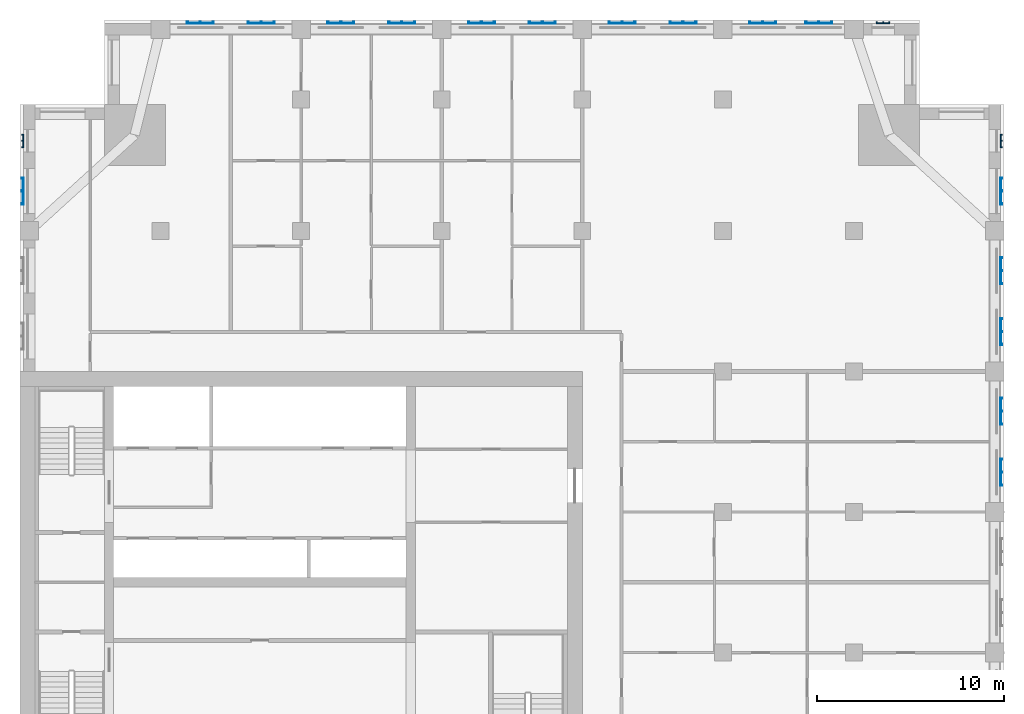
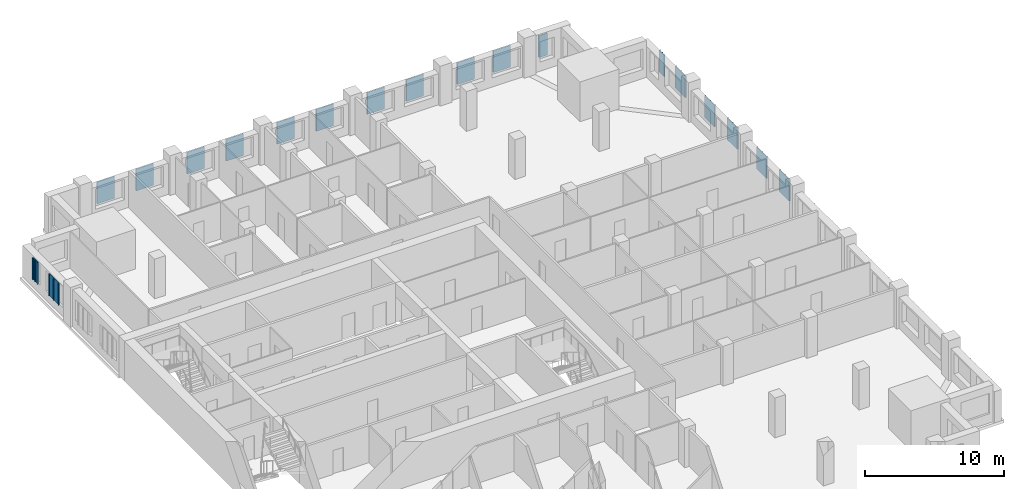
# One storey, part 5 of 14: 19 plates.
"""IFC4 building model written with IfcOpenShell, lengths in metres."""

from ifc_helpers import new_model, si_unit, direction, frame, origin, place, context, subcontext, project, spatial, polyline, outline, extrude, material, layer, layer_set, type_object, element, save


model = new_model("IFC4")

# Units and contexts
model_context = context("Model", 3, precision=1e-05, world=origin(), true_north=direction((0.0, 1.0)))
body_context = subcontext(model_context, "Body", "Model", "MODEL_VIEW")
ifc_project = project(units=[si_unit("LENGTHUNIT", "METRE"), si_unit("AREAUNIT", "SQUARE_METRE"), si_unit("VOLUMEUNIT", "CUBIC_METRE"), si_unit("PLANEANGLEUNIT", "RADIAN"), si_unit("MASSUNIT", "GRAM", prefix="KILO")], contexts=[model_context])

# Site, building, storey
site_placement = place(None, origin())
site = spatial("IfcSite", under=ifc_project, at=site_placement, CompositionType="ELEMENT")
building_placement = place(site_placement, origin())
building = spatial("IfcBuilding", under=site, at=building_placement, Name="Tamorin Gate", CompositionType="ELEMENT")
storey_placement = place(building_placement, frame((0.0, 0.0, 193.199951171875)))
storey = spatial("IfcBuildingStorey", under=building, at=storey_placement, Name="L47", CompositionType="ELEMENT", Elevation=193.199951171875)

# Plates
ifc_material = material(Name="Perforated pale aluminium sheet", Category="aluminium")
ifc_layer_1 = layer(ifc_material, 0.0400390625)
ifc_layer_set_1 = layer_set([ifc_layer_1], Name="Pale metal solar screen 1440")
plate_type_1 = type_object("IfcPlateType", Name="Pale metal solar screen 1440", PredefinedType="SHEET", material=ifc_layer_set_1)
plate_1_placement = place(storey_placement, frame((0.0, 0.0, 0.737548828125)))
element("IfcPlate", 1, at=plate_1_placement, inside=storey, type_object=plate_type_1, Name="Perforated solar screen", PredefinedType="SHEET", context=body_context, shape_type="SweptSolid", body=[
    extrude(outline(polyline([(82.340087890625, 76.405029296875), (82.300048828125, 76.405029296875), (82.300048828125, 76.465087890625), (82.300048828125, 77.094970703125), (82.300048828125, 77.155029296875), (82.300048828125, 77.784912109375), (82.300048828125, 77.844970703125), (82.340087890625, 77.844970703125), (82.39990234375, 77.844970703125), (82.39990234375, 77.784912109375), (82.340087890625, 77.784912109375), (82.340087890625, 77.155029296875), (82.39990234375, 77.155029296875), (82.39990234375, 77.094970703125), (82.340087890625, 77.094970703125), (82.340087890625, 76.465087890625), (82.39990234375, 76.465087890625), (82.39990234375, 76.405029296875), (82.340087890625, 76.405029296875)])), origin(), (0.0, 0.0, 1.0), 1.925048828125),
])
plate_2_placement = place(storey_placement, frame((0.0, 0.0, 0.737548828125)))
element("IfcPlate", 2, at=plate_2_placement, inside=storey, type_object=plate_type_1, Name="Perforated solar screen", PredefinedType="SHEET", context=body_context, shape_type="SweptSolid", body=[
    extrude(outline(polyline([(82.340087890625, 79.655029296875), (82.300048828125, 79.655029296875), (82.300048828125, 79.715087890625), (82.300048828125, 80.344970703125), (82.300048828125, 80.405029296875), (82.300048828125, 81.034912109375), (82.300048828125, 81.094970703125), (82.340087890625, 81.094970703125), (82.39990234375, 81.094970703125), (82.39990234375, 81.034912109375), (82.340087890625, 81.034912109375), (82.340087890625, 80.405029296875), (82.39990234375, 80.405029296875), (82.39990234375, 80.344970703125), (82.340087890625, 80.344970703125), (82.340087890625, 79.715087890625), (82.39990234375, 79.715087890625), (82.39990234375, 79.655029296875), (82.340087890625, 79.655029296875)])), origin(), (0.0, 0.0, 1.0), 1.925048828125),
])
plate_3_placement = place(storey_placement, frame((0.0, 0.0, 0.737548828125)))
element("IfcPlate", 3, at=plate_3_placement, inside=storey, type_object=plate_type_1, Name="Perforated solar screen", PredefinedType="SHEET", context=body_context, shape_type="SweptSolid", body=[
    extrude(outline(polyline([(82.340087890625, 83.905029296875), (82.300048828125, 83.905029296875), (82.300048828125, 83.965087890625), (82.300048828125, 84.594970703125), (82.300048828125, 84.655029296875), (82.300048828125, 85.284912109375), (82.300048828125, 85.344970703125), (82.340087890625, 85.344970703125), (82.39990234375, 85.344970703125), (82.39990234375, 85.284912109375), (82.340087890625, 85.284912109375), (82.340087890625, 84.655029296875), (82.39990234375, 84.655029296875), (82.39990234375, 84.594970703125), (82.340087890625, 84.594970703125), (82.340087890625, 83.965087890625), (82.39990234375, 83.965087890625), (82.39990234375, 83.905029296875), (82.340087890625, 83.905029296875)])), origin(), (0.0, 0.0, 1.0), 1.925048828125),
])
plate_4_placement = place(storey_placement, frame((0.0, 0.0, 0.737548828125)))
element("IfcPlate", 4, at=plate_4_placement, inside=storey, type_object=plate_type_1, Name="Perforated solar screen", PredefinedType="SHEET", context=body_context, shape_type="SweptSolid", body=[
    extrude(outline(polyline([(82.340087890625, 87.155029296875), (82.300048828125, 87.155029296875), (82.300048828125, 87.215087890625), (82.300048828125, 87.844970703125), (82.300048828125, 87.905029296875), (82.300048828125, 88.534912109375), (82.300048828125, 88.594970703125), (82.340087890625, 88.594970703125), (82.39990234375, 88.594970703125), (82.39990234375, 88.534912109375), (82.340087890625, 88.534912109375), (82.340087890625, 87.905029296875), (82.39990234375, 87.905029296875), (82.39990234375, 87.844970703125), (82.340087890625, 87.844970703125), (82.340087890625, 87.215087890625), (82.39990234375, 87.215087890625), (82.39990234375, 87.155029296875), (82.340087890625, 87.155029296875)])), origin(), (0.0, 0.0, 1.0), 1.925048828125),
])
plate_5_placement = place(storey_placement, frame((0.0, 0.0, 0.737548828125)))
element("IfcPlate", 5, at=plate_5_placement, inside=storey, type_object=plate_type_1, Name="Perforated solar screen", PredefinedType="SHEET", context=body_context, shape_type="SweptSolid", body=[
    extrude(outline(polyline([(82.340087890625, 91.405029296875), (82.300048828125, 91.405029296875), (82.300048828125, 91.465087890625), (82.300048828125, 92.094970703125), (82.300048828125, 92.155029296875), (82.300048828125, 92.784912109375), (82.300048828125, 92.844970703125), (82.340087890625, 92.844970703125), (82.39990234375, 92.844970703125), (82.39990234375, 92.784912109375), (82.340087890625, 92.784912109375), (82.340087890625, 92.155029296875), (82.39990234375, 92.155029296875), (82.39990234375, 92.094970703125), (82.340087890625, 92.094970703125), (82.340087890625, 91.465087890625), (82.39990234375, 91.465087890625), (82.39990234375, 91.405029296875), (82.340087890625, 91.405029296875)])), origin(), (0.0, 0.0, 1.0), 1.925048828125),
])
plate_6_placement = place(storey_placement, frame((0.0, 0.0, 0.737548828125)))
element("IfcPlate", 6, at=plate_6_placement, inside=storey, type_object=plate_type_1, Name="Perforated solar screen", PredefinedType="SHEET", context=body_context, shape_type="SweptSolid", body=[
    extrude(outline(polyline([(70.344970703125, 101.090087890625), (70.344970703125, 101.050048828125), (70.284912109375, 101.050048828125), (69.655029296875, 101.050048828125), (69.594970703125, 101.050048828125), (68.965087890625, 101.050048828125), (68.905029296875, 101.050048828125), (68.905029296875, 101.090087890625), (68.905029296875, 101.14990234375), (68.965087890625, 101.14990234375), (68.965087890625, 101.090087890625), (69.594970703125, 101.090087890625), (69.594970703125, 101.14990234375), (69.655029296875, 101.14990234375), (69.655029296875, 101.090087890625), (70.284912109375, 101.090087890625), (70.284912109375, 101.14990234375), (70.344970703125, 101.14990234375), (70.344970703125, 101.090087890625)])), origin(), (0.0, 0.0, 1.0), 1.925048828125),
])
plate_7_placement = place(storey_placement, frame((0.0, 0.0, 0.737548828125)))
element("IfcPlate", 7, at=plate_7_placement, inside=storey, type_object=plate_type_1, Name="Perforated solar screen", PredefinedType="SHEET", context=body_context, shape_type="SweptSolid", body=[
    extrude(outline(polyline([(73.344970703125, 101.090087890625), (73.344970703125, 101.050048828125), (73.284912109375, 101.050048828125), (72.655029296875, 101.050048828125), (72.594970703125, 101.050048828125), (71.965087890625, 101.050048828125), (71.905029296875, 101.050048828125), (71.905029296875, 101.050048828125), (71.905029296875, 101.090087890625), (71.905029296875, 101.090087890625), (71.905029296875, 101.14990234375), (71.965087890625, 101.14990234375), (71.965087890625, 101.090087890625), (72.594970703125, 101.090087890625), (72.594970703125, 101.14990234375), (72.655029296875, 101.14990234375), (72.655029296875, 101.090087890625), (73.284912109375, 101.090087890625), (73.284912109375, 101.14990234375), (73.344970703125, 101.14990234375), (73.344970703125, 101.090087890625)])), origin(), (0.0, 0.0, 1.0), 1.925048828125),
])
plate_8_placement = place(storey_placement, frame((0.0, 0.0, 0.737548828125)))
element("IfcPlate", 8, at=plate_8_placement, inside=storey, type_object=plate_type_1, Name="Perforated solar screen", PredefinedType="SHEET", context=body_context, shape_type="SweptSolid", body=[
    extrude(outline(polyline([(62.844970703125, 101.090087890625), (62.844970703125, 101.050048828125), (62.784912109375, 101.050048828125), (62.155029296875, 101.050048828125), (62.094970703125, 101.050048828125), (61.465087890625, 101.050048828125), (61.405029296875, 101.050048828125), (61.405029296875, 101.090087890625), (61.405029296875, 101.14990234375), (61.465087890625, 101.14990234375), (61.465087890625, 101.090087890625), (62.094970703125, 101.090087890625), (62.094970703125, 101.14990234375), (62.155029296875, 101.14990234375), (62.155029296875, 101.090087890625), (62.784912109375, 101.090087890625), (62.784912109375, 101.14990234375), (62.844970703125, 101.14990234375), (62.844970703125, 101.090087890625)])), origin(), (0.0, 0.0, 1.0), 1.925048828125),
])
plate_9_placement = place(storey_placement, frame((0.0, 0.0, 0.737548828125)))
element("IfcPlate", 9, at=plate_9_placement, inside=storey, type_object=plate_type_1, Name="Perforated solar screen", PredefinedType="SHEET", context=body_context, shape_type="SweptSolid", body=[
    extrude(outline(polyline([(66.094970703125, 101.090087890625), (66.094970703125, 101.050048828125), (66.034912109375, 101.050048828125), (65.405029296875, 101.050048828125), (65.344970703125, 101.050048828125), (64.715087890625, 101.050048828125), (64.655029296875, 101.050048828125), (64.655029296875, 101.090087890625), (64.655029296875, 101.14990234375), (64.715087890625, 101.14990234375), (64.715087890625, 101.090087890625), (65.344970703125, 101.090087890625), (65.344970703125, 101.14990234375), (65.405029296875, 101.14990234375), (65.405029296875, 101.090087890625), (66.034912109375, 101.090087890625), (66.034912109375, 101.14990234375), (66.094970703125, 101.14990234375), (66.094970703125, 101.090087890625)])), origin(), (0.0, 0.0, 1.0), 1.925048828125),
])
plate_10_placement = place(storey_placement, frame((0.0, 0.0, 0.737548828125)))
element("IfcPlate", 10, at=plate_10_placement, inside=storey, type_object=plate_type_1, Name="Perforated solar screen", PredefinedType="SHEET", context=body_context, shape_type="SweptSolid", body=[
    extrude(outline(polyline([(55.344970703125, 101.090087890625), (55.344970703125, 101.050048828125), (55.284912109375, 101.050048828125), (54.655029296875, 101.050048828125), (54.594970703125, 101.050048828125), (53.965087890625, 101.050048828125), (53.905029296875, 101.050048828125), (53.905029296875, 101.090087890625), (53.905029296875, 101.14990234375), (53.965087890625, 101.14990234375), (53.965087890625, 101.090087890625), (54.594970703125, 101.090087890625), (54.594970703125, 101.14990234375), (54.655029296875, 101.14990234375), (54.655029296875, 101.090087890625), (55.284912109375, 101.090087890625), (55.284912109375, 101.14990234375), (55.344970703125, 101.14990234375), (55.344970703125, 101.090087890625)])), origin(), (0.0, 0.0, 1.0), 1.925048828125),
])
plate_11_placement = place(storey_placement, frame((0.0, 0.0, 0.737548828125)))
element("IfcPlate", 11, at=plate_11_placement, inside=storey, type_object=plate_type_1, Name="Perforated solar screen", PredefinedType="SHEET", context=body_context, shape_type="SweptSolid", body=[
    extrude(outline(polyline([(58.594970703125, 101.090087890625), (58.594970703125, 101.050048828125), (58.534912109375, 101.050048828125), (57.905029296875, 101.050048828125), (57.844970703125, 101.050048828125), (57.215087890625, 101.050048828125), (57.155029296875, 101.050048828125), (57.155029296875, 101.090087890625), (57.155029296875, 101.14990234375), (57.215087890625, 101.14990234375), (57.215087890625, 101.090087890625), (57.844970703125, 101.090087890625), (57.844970703125, 101.14990234375), (57.905029296875, 101.14990234375), (57.905029296875, 101.090087890625), (58.534912109375, 101.090087890625), (58.534912109375, 101.14990234375), (58.594970703125, 101.14990234375), (58.594970703125, 101.090087890625)])), origin(), (0.0, 0.0, 1.0), 1.925048828125),
])
plate_12_placement = place(storey_placement, frame((0.0, 0.0, 0.737548828125)))
element("IfcPlate", 12, at=plate_12_placement, inside=storey, type_object=plate_type_1, Name="Perforated solar screen", PredefinedType="SHEET", context=body_context, shape_type="SweptSolid", body=[
    extrude(outline(polyline([(47.844970703125, 101.090087890625), (47.844970703125, 101.050048828125), (47.784912109375, 101.050048828125), (47.155029296875, 101.050048828125), (47.094970703125, 101.050048828125), (46.465087890625, 101.050048828125), (46.405029296875, 101.050048828125), (46.405029296875, 101.090087890625), (46.405029296875, 101.14990234375), (46.465087890625, 101.14990234375), (46.465087890625, 101.090087890625), (47.094970703125, 101.090087890625), (47.094970703125, 101.14990234375), (47.155029296875, 101.14990234375), (47.155029296875, 101.090087890625), (47.784912109375, 101.090087890625), (47.784912109375, 101.14990234375), (47.844970703125, 101.14990234375), (47.844970703125, 101.090087890625)])), origin(), (0.0, 0.0, 1.0), 1.925048828125),
])
plate_13_placement = place(storey_placement, frame((0.0, 0.0, 0.737548828125)))
element("IfcPlate", 13, at=plate_13_placement, inside=storey, type_object=plate_type_1, Name="Perforated solar screen", PredefinedType="SHEET", context=body_context, shape_type="SweptSolid", body=[
    extrude(outline(polyline([(51.094970703125, 101.090087890625), (51.094970703125, 101.050048828125), (51.034912109375, 101.050048828125), (50.405029296875, 101.050048828125), (50.344970703125, 101.050048828125), (49.715087890625, 101.050048828125), (49.655029296875, 101.050048828125), (49.655029296875, 101.090087890625), (49.655029296875, 101.14990234375), (49.715087890625, 101.14990234375), (49.715087890625, 101.090087890625), (50.344970703125, 101.090087890625), (50.344970703125, 101.14990234375), (50.405029296875, 101.14990234375), (50.405029296875, 101.090087890625), (51.034912109375, 101.090087890625), (51.034912109375, 101.14990234375), (51.094970703125, 101.14990234375), (51.094970703125, 101.090087890625)])), origin(), (0.0, 0.0, 1.0), 1.925048828125),
])
plate_14_placement = place(storey_placement, frame((0.0, 0.0, 0.737548828125)))
element("IfcPlate", 14, at=plate_14_placement, inside=storey, type_object=plate_type_1, Name="Perforated solar screen", PredefinedType="SHEET", context=body_context, shape_type="SweptSolid", body=[
    extrude(outline(polyline([(40.344970703125, 101.090087890625), (40.344970703125, 101.050048828125), (40.284912109375, 101.050048828125), (39.655029296875, 101.050048828125), (39.594970703125, 101.050048828125), (38.965087890625, 101.050048828125), (38.905029296875, 101.050048828125), (38.905029296875, 101.090087890625), (38.905029296875, 101.14990234375), (38.965087890625, 101.14990234375), (38.965087890625, 101.090087890625), (39.594970703125, 101.090087890625), (39.594970703125, 101.14990234375), (39.655029296875, 101.14990234375), (39.655029296875, 101.090087890625), (40.284912109375, 101.090087890625), (40.284912109375, 101.14990234375), (40.344970703125, 101.14990234375), (40.344970703125, 101.090087890625)])), origin(), (0.0, 0.0, 1.0), 1.925048828125),
])
plate_15_placement = place(storey_placement, frame((0.0, 0.0, 0.737548828125)))
element("IfcPlate", 15, at=plate_15_placement, inside=storey, type_object=plate_type_1, Name="Perforated solar screen", PredefinedType="SHEET", context=body_context, shape_type="SweptSolid", body=[
    extrude(outline(polyline([(43.594970703125, 101.090087890625), (43.594970703125, 101.050048828125), (43.534912109375, 101.050048828125), (42.905029296875, 101.050048828125), (42.844970703125, 101.050048828125), (42.215087890625, 101.050048828125), (42.155029296875, 101.050048828125), (42.155029296875, 101.090087890625), (42.155029296875, 101.14990234375), (42.215087890625, 101.14990234375), (42.215087890625, 101.090087890625), (42.844970703125, 101.090087890625), (42.844970703125, 101.14990234375), (42.905029296875, 101.14990234375), (42.905029296875, 101.090087890625), (43.534912109375, 101.090087890625), (43.534912109375, 101.14990234375), (43.594970703125, 101.14990234375), (43.594970703125, 101.090087890625)])), origin(), (0.0, 0.0, 1.0), 1.925048828125),
])
plate_16_placement = place(storey_placement, frame((0.0, 0.0, 0.737548828125)))
element("IfcPlate", 16, at=plate_16_placement, inside=storey, type_object=plate_type_1, Name="Perforated solar screen", PredefinedType="SHEET", context=body_context, shape_type="SweptSolid", body=[
    extrude(outline(polyline([(30.159912109375, 92.844970703125), (30.199951171875, 92.844970703125), (30.199951171875, 92.784912109375), (30.199951171875, 92.155029296875), (30.199951171875, 92.094970703125), (30.199951171875, 91.465087890625), (30.199951171875, 91.405029296875), (30.199951171875, 91.405029296875), (30.159912109375, 91.405029296875), (30.159912109375, 91.405029296875), (30.10009765625, 91.405029296875), (30.10009765625, 91.465087890625), (30.159912109375, 91.465087890625), (30.159912109375, 92.094970703125), (30.10009765625, 92.094970703125), (30.10009765625, 92.155029296875), (30.159912109375, 92.155029296875), (30.159912109375, 92.784912109375), (30.10009765625, 92.784912109375), (30.10009765625, 92.844970703125), (30.159912109375, 92.844970703125)])), origin(), (0.0, 0.0, 1.0), 1.925048828125),
])
ifc_layer_2 = layer(ifc_material, 0.0400390625)
ifc_layer_set_2 = layer_set([ifc_layer_2], Name="Pale metal solar screen 720")
plate_type_2 = type_object("IfcPlateType", Name="Pale metal solar screen 720", PredefinedType="SHEET", material=ifc_layer_set_2)
plate_17_placement = place(storey_placement, frame((0.0, 0.0, 0.737548828125)))
element("IfcPlate", 17, at=plate_17_placement, inside=storey, type_object=plate_type_2, Name="Perforated solar screen", PredefinedType="SHEET", context=body_context, shape_type="SweptSolid", body=[
    extrude(outline(polyline([(82.340087890625, 94.43994140625), (82.300048828125, 94.43994140625), (82.300048828125, 94.5), (82.300048828125, 94.77001953125), (82.300048828125, 94.830078125), (82.300048828125, 95.10009765625), (82.300048828125, 95.159912109375), (82.340087890625, 95.159912109375), (82.39990234375, 95.159912109375), (82.39990234375, 95.10009765625), (82.340087890625, 95.10009765625), (82.340087890625, 94.830078125), (82.39990234375, 94.830078125), (82.39990234375, 94.77001953125), (82.340087890625, 94.77001953125), (82.340087890625, 94.5), (82.39990234375, 94.5), (82.39990234375, 94.43994140625), (82.340087890625, 94.43994140625)])), origin(), (0.0, 0.0, 1.0), 1.925048828125),
])
plate_18_placement = place(storey_placement, frame((0.0, 0.0, 0.737548828125)))
element("IfcPlate", 18, at=plate_18_placement, inside=storey, type_object=plate_type_2, Name="Perforated solar screen", PredefinedType="SHEET", context=body_context, shape_type="SweptSolid", body=[
    extrude(outline(polyline([(76.409912109375, 101.090087890625), (76.409912109375, 101.050048828125), (76.35009765625, 101.050048828125), (76.080078125, 101.050048828125), (76.02001953125, 101.050048828125), (75.75, 101.050048828125), (75.68994140625, 101.050048828125), (75.68994140625, 101.090087890625), (75.68994140625, 101.14990234375), (75.75, 101.14990234375), (75.75, 101.090087890625), (76.02001953125, 101.090087890625), (76.02001953125, 101.14990234375), (76.080078125, 101.14990234375), (76.080078125, 101.090087890625), (76.35009765625, 101.090087890625), (76.35009765625, 101.14990234375), (76.409912109375, 101.14990234375), (76.409912109375, 101.090087890625)])), origin(), (0.0, 0.0, 1.0), 1.925048828125),
])
plate_19_placement = place(storey_placement, frame((0.0, 0.0, 0.737548828125)))
element("IfcPlate", 19, at=plate_19_placement, inside=storey, type_object=plate_type_2, Name="Perforated solar screen", PredefinedType="SHEET", context=body_context, shape_type="SweptSolid", body=[
    extrude(outline(polyline([(30.159912109375, 95.159912109375), (30.199951171875, 95.159912109375), (30.199951171875, 95.10009765625), (30.199951171875, 94.830078125), (30.199951171875, 94.77001953125), (30.199951171875, 94.5), (30.199951171875, 94.43994140625), (30.159912109375, 94.43994140625), (30.10009765625, 94.43994140625), (30.10009765625, 94.5), (30.159912109375, 94.5), (30.159912109375, 94.77001953125), (30.10009765625, 94.77001953125), (30.10009765625, 94.830078125), (30.159912109375, 94.830078125), (30.159912109375, 95.10009765625), (30.10009765625, 95.10009765625), (30.10009765625, 95.159912109375), (30.159912109375, 95.159912109375)])), origin(), (0.0, 0.0, 1.0), 1.925048828125),
])

save(model, "model.ifc")
